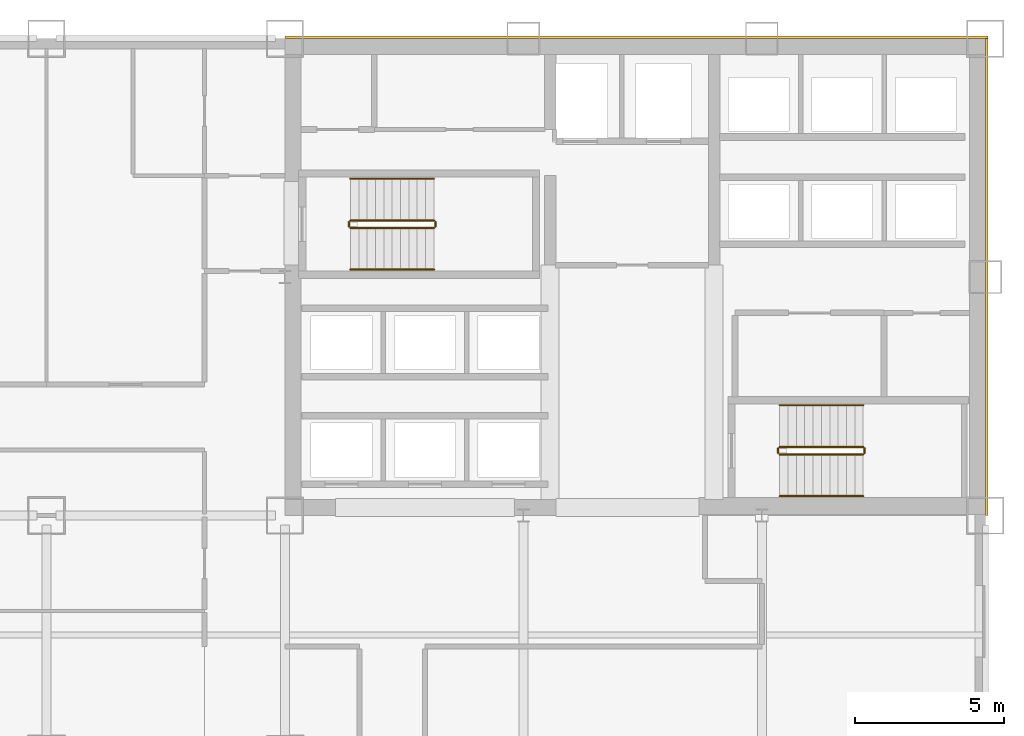
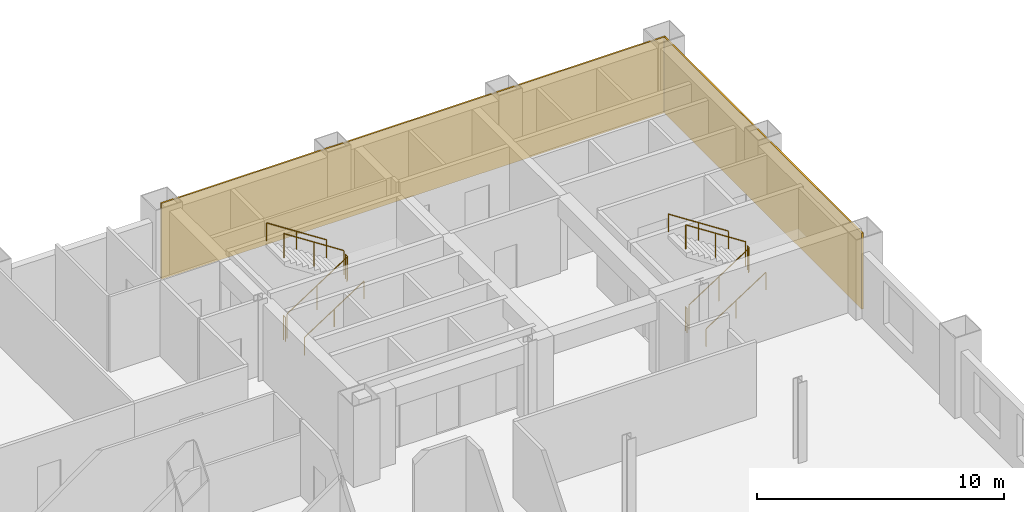
# One storey, part 9 of 9: 12 railings, 2 coverings.
"""IFC4 building model written with IfcOpenShell, lengths in metres."""

from ifc_helpers import new_model, si_unit, direction, frame, origin, origin_2d, place, context, subcontext, project, spatial, rectangle, circle, extrude, material, layer, layer_set, type_object, element, save


model = new_model("IFC4")

# Units and contexts
model_context = context("Model", 3, precision=1e-05, world=origin(), true_north=direction((0.0, 1.0)))
body_context = subcontext(model_context, "Body", "Model", "MODEL_VIEW")
ifc_project = project(units=[si_unit("LENGTHUNIT", "METRE"), si_unit("AREAUNIT", "SQUARE_METRE"), si_unit("VOLUMEUNIT", "CUBIC_METRE"), si_unit("PLANEANGLEUNIT", "RADIAN"), si_unit("MASSUNIT", "GRAM", prefix="KILO")], contexts=[model_context])

# Site, building, storey
site_placement = place(None, origin())
site = spatial("IfcSite", under=ifc_project, at=site_placement, CompositionType="ELEMENT")
building_placement = place(site_placement, origin())
building = spatial("IfcBuilding", under=site, at=building_placement, Name="Qianrong Seaharbour Tower", CompositionType="ELEMENT")
storey_placement = place(building_placement, frame((0.0, 0.0, 48.199951171875)))
storey = spatial("IfcBuildingStorey", under=building, at=storey_placement, Name="L11", CompositionType="ELEMENT", Elevation=48.199951171875)

# Coverings
ifc_material_1 = material(Name="Unitised red brick cladding on Precast concrete C45/55", Category="masonry")
ifc_layer = layer(ifc_material_1, 0.080078125)
ifc_layer_set = layer_set([ifc_layer], Name="Unitised red brick cladding on Precast concrete C45/55")
covering_type = type_object("IfcCoveringType", Name="COV-CLAD-RED-BRICK-80", PredefinedType="CLADDING", material=ifc_layer_set)
covering_1_placement = place(storey_placement, frame((52.2900390625, 52.0400390625, 0.0), z_axis=(0.0, 0.0, 1.0), x_axis=(1.0, 0.0, 0.0)))
element("IfcCovering", 1, at=covering_1_placement, inside=storey, type_object=covering_type, Name="L11 North Core Brick Veneer Cladding", PredefinedType="CLADDING", context=body_context, shape_type="SweptSolid", body=[
    extrude(rectangle(XDim=23.580078125, YDim=0.080078125, at=origin_2d()), origin(), (0.0, 0.0, 1.0), 3.75),
])
covering_2_placement = place(storey_placement, frame((64.0400390625, 44.0, 0.0), z_axis=(0.0, 0.0, 1.0), x_axis=(1.0, 0.0, 0.0)))
element("IfcCovering", 2, at=covering_2_placement, inside=storey, type_object=covering_type, Name="L11 East Core Brick Veneer Cladding", PredefinedType="CLADDING", context=body_context, shape_type="SweptSolid", body=[
    extrude(rectangle(XDim=0.080078125, YDim=16.0, at=origin_2d()), origin(), (0.0, 0.0, 1.0), 3.75),
])

# Railings
ifc_material_2 = material(Name="Galvanized painted steel SN400B stair guard", Category="steel")
railing_type_1 = type_object("IfcRailingType", Name="RAIL-STAIR-GUARD-1220", PredefinedType="GUARDRAIL", material=ifc_material_2)
railing_1_placement = place(storey_placement, frame((42.699951171875, 45.64990234375, 0.181884765625)))
element("IfcRailing", 3, at=railing_1_placement, inside=storey, type_object=railing_type_1, Name="L11 ST-1 stair guard 1", PredefinedType="GUARDRAIL", context=body_context, shape_type="SweptSolid", body=[
    extrude(circle(Radius=0.02392578125, at=origin_2d()), frame((0.0, 0.0, 1.19580078125), z_axis=(0.838705829183, 0.0, 0.544584733623), x_axis=(0.0, 1.0, 0.0)), (0.0, 0.0, 1.0), 3.338623046875),
    extrude(circle(Radius=0.02099609375, at=origin_2d()), origin(), (0.0, 0.0, 1.0), 1.171875),
    extrude(circle(Radius=0.02099609375, at=origin_2d()), frame((1.39990234375, 0.0, 0.9091796875)), (0.0, 0.0, 1.0), 1.171875),
    extrude(circle(Radius=0.02099609375, at=origin_2d()), frame((2.800048828125, 0.0, 1.818115234375)), (0.0, 0.0, 1.0), 1.171875),
])
railing_2_placement = place(storey_placement, frame((45.550048828125, 45.699951171875, 2.0)))
element("IfcRailing", 4, at=railing_2_placement, inside=storey, type_object=railing_type_1, Name="L11 ST-1 stair guard 2", PredefinedType="GUARDRAIL", context=body_context, shape_type="SweptSolid", body=[
    extrude(circle(Radius=0.02392578125, at=origin_2d()), frame((0.0, 0.0, 1.19580078125), z_axis=(0.0, 1.0, 0.0), x_axis=(-1.0, 0.0, 0.0)), (0.0, 0.0, 1.0), 0.150146484375),
    extrude(circle(Radius=0.02099609375, at=origin_2d()), origin(), (0.0, 0.0, 1.0), 1.171875),
    extrude(circle(Radius=0.02099609375, at=origin_2d()), frame((0.0, 0.150146484375, 0.0)), (0.0, 0.0, 1.0), 1.171875),
])
railing_3_placement = place(storey_placement, frame((45.5, 45.89990234375, 2.181884765625)))
element("IfcRailing", 5, at=railing_3_placement, inside=storey, type_object=railing_type_1, Name="L11 ST-1 stair guard 3", PredefinedType="GUARDRAIL", context=body_context, shape_type="SweptSolid", body=[
    extrude(circle(Radius=0.02392578125, at=origin_2d()), frame((0.0, 0.0, 1.19580078125), z_axis=(-0.838705829183, 0.0, 0.544584733623), x_axis=(0.0, -1.0, 0.0)), (0.0, 0.0, 1.0), 3.338623046875),
    extrude(circle(Radius=0.02099609375, at=origin_2d()), origin(), (0.0, 0.0, 1.0), 1.171875),
    extrude(circle(Radius=0.02099609375, at=origin_2d()), frame((-1.39990234375, 0.0, 0.9091796875)), (0.0, 0.0, 1.0), 1.171875),
    extrude(circle(Radius=0.02099609375, at=origin_2d()), frame((-2.800048828125, 0.0, 1.818115234375)), (0.0, 0.0, 1.0), 1.171875),
])
railing_4_placement = place(storey_placement, frame((42.64990234375, 45.699951171875, 0.0)))
element("IfcRailing", 6, at=railing_4_placement, inside=storey, type_object=railing_type_1, Name="L11 ST-1 stair guard 4", PredefinedType="GUARDRAIL", context=body_context, shape_type="SweptSolid", body=[
    extrude(circle(Radius=0.02392578125, at=origin_2d()), frame((0.0, 0.0, 1.19580078125), z_axis=(0.0, 1.0, 0.0), x_axis=(-1.0, 0.0, 0.0)), (0.0, 0.0, 1.0), 0.150146484375),
    extrude(circle(Radius=0.02099609375, at=origin_2d()), origin(), (0.0, 0.0, 1.0), 1.171875),
    extrude(circle(Radius=0.02099609375, at=origin_2d()), frame((0.0, 0.150146484375, 0.0)), (0.0, 0.0, 1.0), 1.171875),
])
railing_5_placement = place(storey_placement, frame((57.10009765625, 38.050048828125, 0.181884765625)))
element("IfcRailing", 7, at=railing_5_placement, inside=storey, type_object=railing_type_1, Name="L11 ST-2 stair guard 1", PredefinedType="GUARDRAIL", context=body_context, shape_type="SweptSolid", body=[
    extrude(circle(Radius=0.02392578125, at=origin_2d()), frame((0.0, 0.0, 1.19580078125), z_axis=(0.83868413941, 0.0, 0.544618136222), x_axis=(0.0, 1.0, 0.0)), (0.0, 0.0, 1.0), 3.33837890625),
    extrude(circle(Radius=0.02099609375, at=origin_2d()), origin(), (0.0, 0.0, 1.0), 1.171875),
    extrude(circle(Radius=0.02099609375, at=origin_2d()), frame((1.39990234375, 0.0, 0.9091796875)), (0.0, 0.0, 1.0), 1.171875),
    extrude(circle(Radius=0.02099609375, at=origin_2d()), frame((2.7998046875, 0.0, 1.818115234375)), (0.0, 0.0, 1.0), 1.171875),
])
railing_6_placement = place(storey_placement, frame((59.949951171875, 38.10009765625, 2.0)))
element("IfcRailing", 8, at=railing_6_placement, inside=storey, type_object=railing_type_1, Name="L11 ST-2 stair guard 2", PredefinedType="GUARDRAIL", context=body_context, shape_type="SweptSolid", body=[
    extrude(circle(Radius=0.02392578125, at=origin_2d()), frame((0.0, 0.0, 1.19580078125), z_axis=(0.0, 1.0, 0.0), x_axis=(-1.0, 0.0, 0.0)), (0.0, 0.0, 1.0), 0.14990234375),
    extrude(circle(Radius=0.02099609375, at=origin_2d()), origin(), (0.0, 0.0, 1.0), 1.171875),
    extrude(circle(Radius=0.02099609375, at=origin_2d()), frame((0.0, 0.14990234375, 0.0)), (0.0, 0.0, 1.0), 1.171875),
])
railing_7_placement = place(storey_placement, frame((59.89990234375, 38.300048828125, 2.181884765625)))
element("IfcRailing", 9, at=railing_7_placement, inside=storey, type_object=railing_type_1, Name="L11 ST-2 stair guard 3", PredefinedType="GUARDRAIL", context=body_context, shape_type="SweptSolid", body=[
    extrude(circle(Radius=0.02392578125, at=origin_2d()), frame((0.0, 0.0, 1.19580078125), z_axis=(-0.83868413941, 0.0, 0.544618136222), x_axis=(0.0, -1.0, 0.0)), (0.0, 0.0, 1.0), 3.33837890625),
    extrude(circle(Radius=0.02099609375, at=origin_2d()), origin(), (0.0, 0.0, 1.0), 1.171875),
    extrude(circle(Radius=0.02099609375, at=origin_2d()), frame((-1.39990234375, 0.0, 0.9091796875)), (0.0, 0.0, 1.0), 1.171875),
    extrude(circle(Radius=0.02099609375, at=origin_2d()), frame((-2.7998046875, 0.0, 1.818115234375)), (0.0, 0.0, 1.0), 1.171875),
])
railing_8_placement = place(storey_placement, frame((57.050048828125, 38.10009765625, 0.0)))
element("IfcRailing", 10, at=railing_8_placement, inside=storey, type_object=railing_type_1, Name="L11 ST-2 stair guard 4", PredefinedType="GUARDRAIL", context=body_context, shape_type="SweptSolid", body=[
    extrude(circle(Radius=0.02392578125, at=origin_2d()), frame((0.0, 0.0, 1.19580078125), z_axis=(0.0, 1.0, 0.0), x_axis=(-1.0, 0.0, 0.0)), (0.0, 0.0, 1.0), 0.14990234375),
    extrude(circle(Radius=0.02099609375, at=origin_2d()), origin(), (0.0, 0.0, 1.0), 1.171875),
    extrude(circle(Radius=0.02099609375, at=origin_2d()), frame((0.0, 0.14990234375, 0.0)), (0.0, 0.0, 1.0), 1.171875),
])
ifc_material_3 = material(Name="Stainless steel SUS316L continuous handrail", Category="steel")
railing_type_2 = type_object("IfcRailingType", Name="RAIL-STAIR-HANDRAIL-900", PredefinedType="HANDRAIL", material=ifc_material_3)
railing_9_placement = place(storey_placement, frame((42.699951171875, 44.25, 0.181884765625)))
element("IfcRailing", 11, at=railing_9_placement, inside=storey, type_object=railing_type_2, Name="L11 ST-1 stair handrail 1", PredefinedType="HANDRAIL", context=body_context, shape_type="SweptSolid", body=[
    extrude(circle(Radius=0.02392578125, at=origin_2d()), frame((0.0, 0.0, 0.8759765625), z_axis=(0.838705829183, 0.0, 0.544584733623), x_axis=(0.0, 1.0, 0.0)), (0.0, 0.0, 1.0), 3.338623046875),
    extrude(circle(Radius=0.02099609375, at=origin_2d()), origin(), (0.0, 0.0, 1.0), 0.851806640625),
    extrude(circle(Radius=0.02099609375, at=origin_2d()), frame((1.39990234375, 0.0, 0.9091796875)), (0.0, 0.0, 1.0), 0.851806640625),
    extrude(circle(Radius=0.02099609375, at=origin_2d()), frame((2.800048828125, 0.0, 1.818115234375)), (0.0, 0.0, 1.0), 0.851806640625),
])
railing_10_placement = place(storey_placement, frame((45.5, 47.300048828125, 2.181884765625)))
element("IfcRailing", 12, at=railing_10_placement, inside=storey, type_object=railing_type_2, Name="L11 ST-1 stair handrail 2", PredefinedType="HANDRAIL", context=body_context, shape_type="SweptSolid", body=[
    extrude(circle(Radius=0.02392578125, at=origin_2d()), frame((0.0, 0.0, 0.8759765625), z_axis=(-0.838705829183, 0.0, 0.544584733623), x_axis=(0.0, -1.0, 0.0)), (0.0, 0.0, 1.0), 3.338623046875),
    extrude(circle(Radius=0.02099609375, at=origin_2d()), origin(), (0.0, 0.0, 1.0), 0.851806640625),
    extrude(circle(Radius=0.02099609375, at=origin_2d()), frame((-1.39990234375, 0.0, 0.9091796875)), (0.0, 0.0, 1.0), 0.851806640625),
    extrude(circle(Radius=0.02099609375, at=origin_2d()), frame((-2.800048828125, 0.0, 1.818115234375)), (0.0, 0.0, 1.0), 0.851806640625),
])
railing_11_placement = place(storey_placement, frame((57.10009765625, 36.64990234375, 0.181884765625)))
element("IfcRailing", 13, at=railing_11_placement, inside=storey, type_object=railing_type_2, Name="L11 ST-2 stair handrail 1", PredefinedType="HANDRAIL", context=body_context, shape_type="SweptSolid", body=[
    extrude(circle(Radius=0.02392578125, at=origin_2d()), frame((0.0, 0.0, 0.8759765625), z_axis=(0.83868413941, 0.0, 0.544618136222), x_axis=(0.0, 1.0, 0.0)), (0.0, 0.0, 1.0), 3.33837890625),
    extrude(circle(Radius=0.02099609375, at=origin_2d()), origin(), (0.0, 0.0, 1.0), 0.851806640625),
    extrude(circle(Radius=0.02099609375, at=origin_2d()), frame((1.39990234375, 0.0, 0.9091796875)), (0.0, 0.0, 1.0), 0.851806640625),
    extrude(circle(Radius=0.02099609375, at=origin_2d()), frame((2.7998046875, 0.0, 1.818115234375)), (0.0, 0.0, 1.0), 0.851806640625),
])
railing_12_placement = place(storey_placement, frame((59.89990234375, 39.699951171875, 2.181884765625)))
element("IfcRailing", 14, at=railing_12_placement, inside=storey, type_object=railing_type_2, Name="L11 ST-2 stair handrail 2", PredefinedType="HANDRAIL", context=body_context, shape_type="SweptSolid", body=[
    extrude(circle(Radius=0.02392578125, at=origin_2d()), frame((0.0, 0.0, 0.8759765625), z_axis=(-0.83868413941, 0.0, 0.544618136222), x_axis=(0.0, -1.0, 0.0)), (0.0, 0.0, 1.0), 3.33837890625),
    extrude(circle(Radius=0.02099609375, at=origin_2d()), origin(), (0.0, 0.0, 1.0), 0.851806640625),
    extrude(circle(Radius=0.02099609375, at=origin_2d()), frame((-1.39990234375, 0.0, 0.9091796875)), (0.0, 0.0, 1.0), 0.851806640625),
    extrude(circle(Radius=0.02099609375, at=origin_2d()), frame((-2.7998046875, 0.0, 1.818115234375)), (0.0, 0.0, 1.0), 0.851806640625),
])

save(model, "model.ifc")
